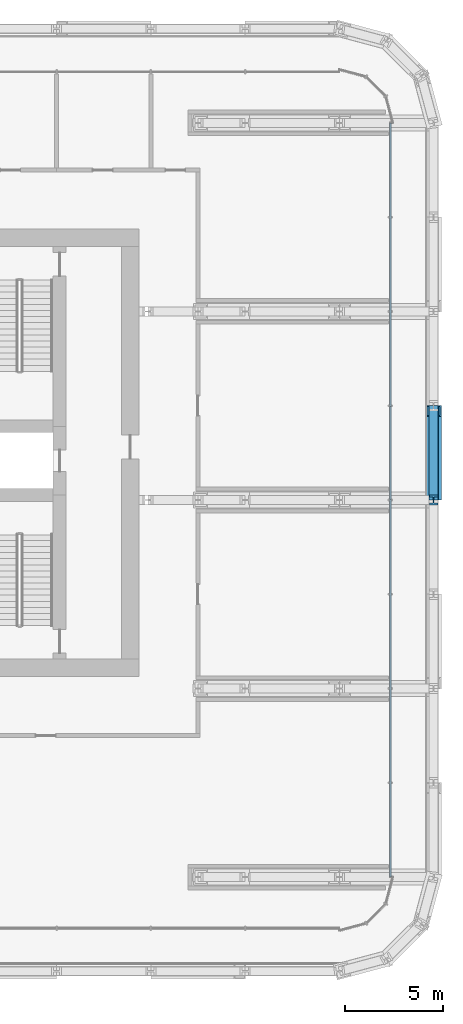
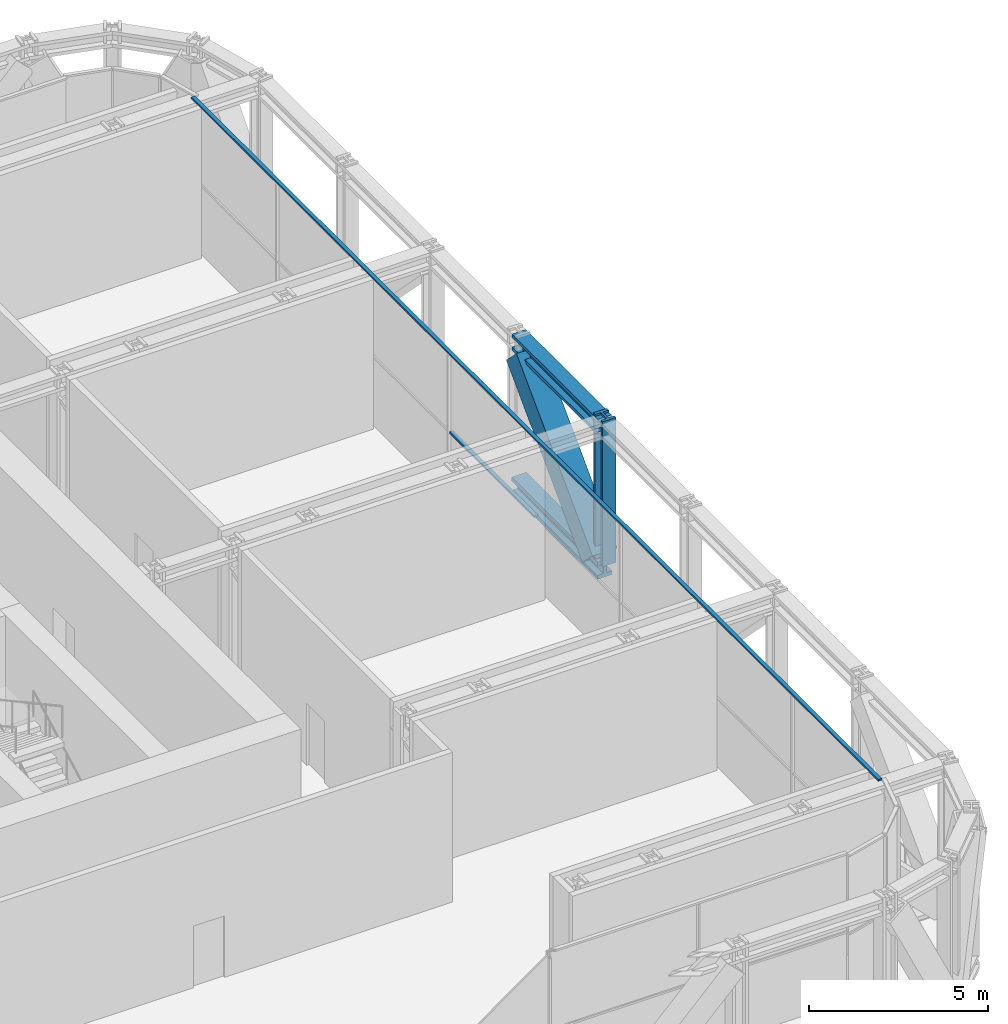
# One storey, part 10 of 30: 6 members, 1 element without a shape of its own.
"""IFC4 building model written with IfcOpenShell, lengths in metres."""

from ifc_helpers import new_model, si_unit, direction, frame, origin, origin_2d, place, context, subcontext, project, spatial, rectangle, hollow_rectangle, i_section, extrude, material, layer, layer_set, material_profile, profile_set, type_object, element, aggregate, save


model = new_model("IFC4")

# Units and contexts
model_context = context("Model", 3, precision=1e-05, world=origin(), true_north=direction((0.0, 1.0)))
body_context = subcontext(model_context, "Body", "Model", "MODEL_VIEW")
ifc_project = project(units=[si_unit("LENGTHUNIT", "METRE"), si_unit("AREAUNIT", "SQUARE_METRE"), si_unit("VOLUMEUNIT", "CUBIC_METRE"), si_unit("PLANEANGLEUNIT", "RADIAN"), si_unit("MASSUNIT", "GRAM", prefix="KILO")], contexts=[model_context])

# Site, building, storey
site_placement = place(None, origin())
site = spatial("IfcSite", under=ifc_project, at=site_placement, CompositionType="ELEMENT")
building_placement = place(site_placement, origin())
building = spatial("IfcBuilding", under=site, at=building_placement, Name="Madar Terraces", CompositionType="ELEMENT")
storey_placement = place(building_placement, frame((0.0, 0.0, 53.89990234375)))
storey = spatial("IfcBuildingStorey", under=building, at=storey_placement, Name="L13", CompositionType="ELEMENT", Elevation=53.89990234375)

# Member
ifc_material_1 = material(Name="Steel ASTM A913 Grade 65", Category="steel")
ifc_material_profile_1 = material_profile(ifc_material_1, i_section(OverallWidth=0.472412109375, OverallDepth=0.5791015625, WebThickness=0.094970703125, FlangeThickness=0.130126953125, at=origin_2d()), Name="W14x808")
ifc_profile_set_1 = profile_set([ifc_material_profile_1], Name="Steel ASTM A913 Grade 65")
member_type_1 = type_object("IfcMemberType", Name="BC2 W14x808", PredefinedType="CHORD", material=ifc_profile_set_1)
member_1_placement = place(storey_placement, frame((62.39990234375, 24.0, -0.13037109375), z_axis=(0.0, 1.0, 0.0), x_axis=(-1.0, 0.0, 0.0)))
element("IfcMember", 1, at=member_1_placement, inside=storey, type_object=member_type_1, Name="Exoskeleton truss ring bottom chord BC2", PredefinedType="CHORD", context=body_context, shape_type="SweptSolid", body=[
    extrude(i_section(OverallWidth=0.472412109375, OverallDepth=0.5791015625, WebThickness=0.094970703125, FlangeThickness=0.130126953125, at=origin_2d()), origin(), (0.0, 0.0, 1.0), 4.800048828125),
])

# Curtain wall, members
ifc_material_2 = material(Name="Glass, ceramic frit dark grey, with black aluminium frame", Category="aluminium")
ifc_layer = layer(ifc_material_2, 0.199951171875)
ifc_layer_set = layer_set([ifc_layer], Name="Facade curtain wall, tall glazing")
curtain_wall_type = type_object("IfcCurtainWallType", Name="Facade curtain wall, tall glazing", PredefinedType="NOTDEFINED", material=ifc_layer_set)
curtain_wall_placement = place(storey_placement, origin())
curtain_wall = element("IfcCurtainWall", 2, at=curtain_wall_placement, inside=storey, type_object=curtain_wall_type, Name="Outer skin curtain wall east bay 1", PredefinedType="NOTDEFINED")
ifc_material_3 = material(Name="Aluminium, black anodised", Category="aluminium")
ifc_material_profile_2 = material_profile(ifc_material_3, rectangle(XDim=0.1201171875, YDim=0.06005859375, at=origin_2d()), Name="Facade transom 60x120")
ifc_profile_set_2 = profile_set([ifc_material_profile_2], Name="Aluminium, black anodised")
member_type_2 = type_object("IfcMemberType", Name="Facade transom 60x120", PredefinedType="USERDEFINED", material=ifc_profile_set_2)
member_2_placement = place(storey_placement, frame((60.199951171875, 4.800048828125, 5.070068359375), z_axis=(0.0, 1.0, 0.0), x_axis=(-1.0, 0.0, 0.0)))
member_2 = element("IfcMember", 3, at=member_2_placement, type_object=member_type_2, Name="Transom 1", ObjectType="TRANSOM", PredefinedType="USERDEFINED", context=body_context, shape_type="SweptSolid", body=[
    extrude(rectangle(XDim=0.1201171875, YDim=0.06005859375, at=origin_2d()), origin(), (0.0, 0.0, 1.0), 38.39990234375),
])
member_3_placement = place(storey_placement, frame((60.199951171875, 24.030029296875, 2.400146484375), z_axis=(0.0, 1.0, 0.0), x_axis=(-1.0, 0.0, 0.0)))
member_3 = element("IfcMember", 4, at=member_3_placement, type_object=member_type_2, Name="Transom 6", ObjectType="TRANSOM", PredefinedType="USERDEFINED", context=body_context, shape_type="SweptSolid", body=[
    extrude(rectangle(XDim=0.1201171875, YDim=0.06005859375, at=origin_2d()), origin(), (0.0, 0.0, 1.0), 4.739990234375),
])
aggregate(curtain_wall, [member_2, member_3])

# Members
ifc_material_4 = material(Name="Steel ASTM A913 Grade 65", Category="steel")
ifc_material_profile_3 = material_profile(ifc_material_4, i_section(OverallWidth=0.449462890625, OverallDepth=0.548583984375, WebThickness=0.07177734375, FlangeThickness=0.11474609375, at=origin_2d()), Name="W14x665")
ifc_profile_set_3 = profile_set([ifc_material_profile_3], Name="Steel ASTM A913 Grade 65")
member_type_3 = type_object("IfcMemberType", Name="TC2 W14x665", PredefinedType="CHORD", material=ifc_profile_set_3)
member_4_placement = place(storey_placement, frame((62.39990234375, 24.0, 4.755859375), z_axis=(0.0, 1.0, 0.0), x_axis=(-1.0, 0.0, 0.0)))
element("IfcMember", 5, at=member_4_placement, inside=storey, type_object=member_type_3, Name="Exoskeleton truss ring top chord TC2", PredefinedType="CHORD", context=body_context, shape_type="SweptSolid", body=[
    extrude(i_section(OverallWidth=0.449462890625, OverallDepth=0.548583984375, WebThickness=0.07177734375, FlangeThickness=0.11474609375, at=origin_2d()), origin(), (0.0, 0.0, 1.0), 4.800048828125),
])
ifc_material_5 = material(Name="Steel ASTM A572 Grade 50", Category="steel")
ifc_material_profile_4 = material_profile(ifc_material_5, hollow_rectangle(XDim=0.800048828125, YDim=0.800048828125, WallThickness=0.070068359375, at=origin_2d()), Name="BOX800x800x70")
ifc_profile_set_4 = profile_set([ifc_material_profile_4], Name="Steel ASTM A572 Grade 50")
member_type_4 = type_object("IfcMemberType", Name="TD2 BOX800x800x70", PredefinedType="BRACE", material=ifc_profile_set_4)
member_5_placement = place(storey_placement, frame((62.39990234375, 24.284423828125, 0.1591796875), z_axis=(0.0, 0.700792979798, 0.713364702986), x_axis=(-1.0, 0.0, 0.0)))
element("IfcMember", 6, at=member_5_placement, inside=storey, type_object=member_type_4, Name="Exoskeleton truss ring diagonal TD2", PredefinedType="BRACE", context=body_context, shape_type="SweptSolid", body=[
    extrude(hollow_rectangle(XDim=0.800048828125, YDim=0.800048828125, WallThickness=0.070068359375, at=origin_2d()), origin(), (0.0, 0.0, 1.0), 6.05908203125),
])
ifc_material_6 = material(Name="Steel ASTM A913 Grade 65", Category="steel")
ifc_material_profile_5 = material_profile(ifc_material_6, i_section(OverallWidth=0.436767578125, OverallDepth=0.51318359375, WebThickness=0.060546875, FlangeThickness=0.096923828125, at=origin_2d()), Name="W14x550")
ifc_profile_set_5 = profile_set([ifc_material_profile_5], Name="Steel ASTM A913 Grade 65")
member_type_5 = type_object("IfcMemberType", Name="TV2 W14x550", PredefinedType="POST", material=ifc_profile_set_5)
member_6_placement = place(storey_placement, frame((62.39990234375, 24.0, 0.1591796875), z_axis=(0.0, 0.0, 1.0), x_axis=(-1.0, 0.0, 0.0)))
element("IfcMember", 7, at=member_6_placement, inside=storey, type_object=member_type_5, Name="Exoskeleton truss ring post TV2", PredefinedType="POST", context=body_context, shape_type="SweptSolid", body=[
    extrude(i_section(OverallWidth=0.436767578125, OverallDepth=0.51318359375, WebThickness=0.060546875, FlangeThickness=0.096923828125, at=origin_2d()), origin(), (0.0, 0.0, 1.0), 4.94091796875),
])

save(model, "model.ifc")
